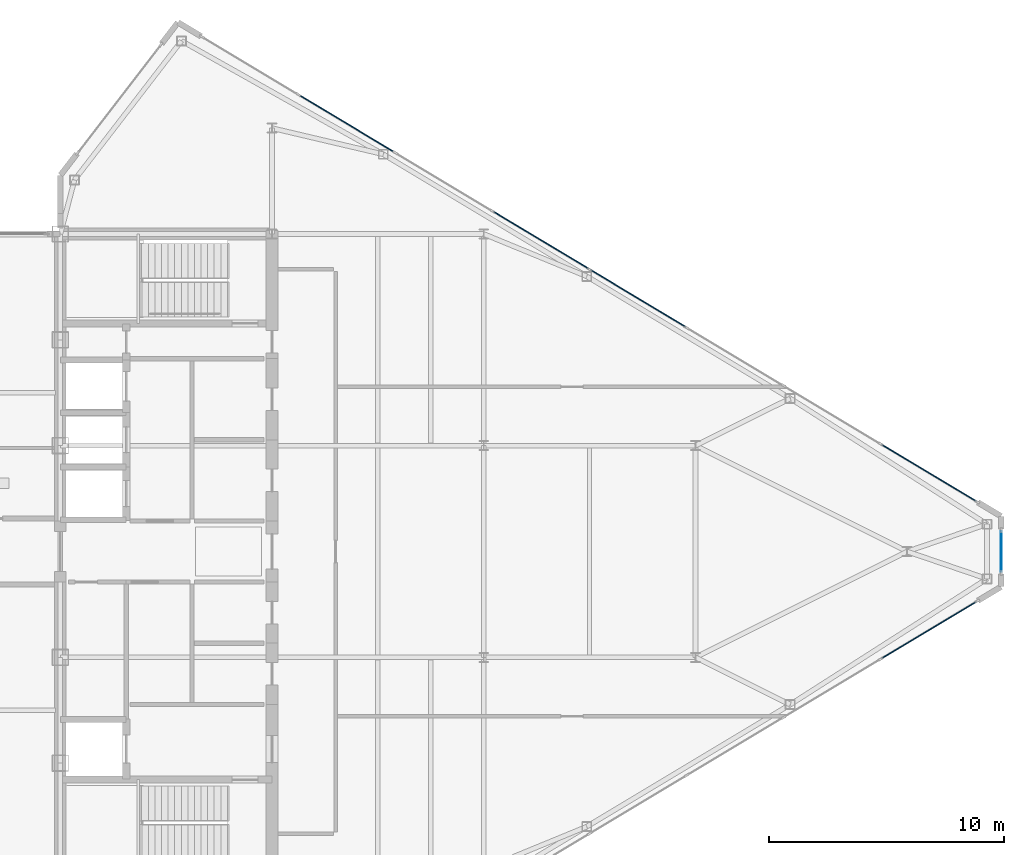
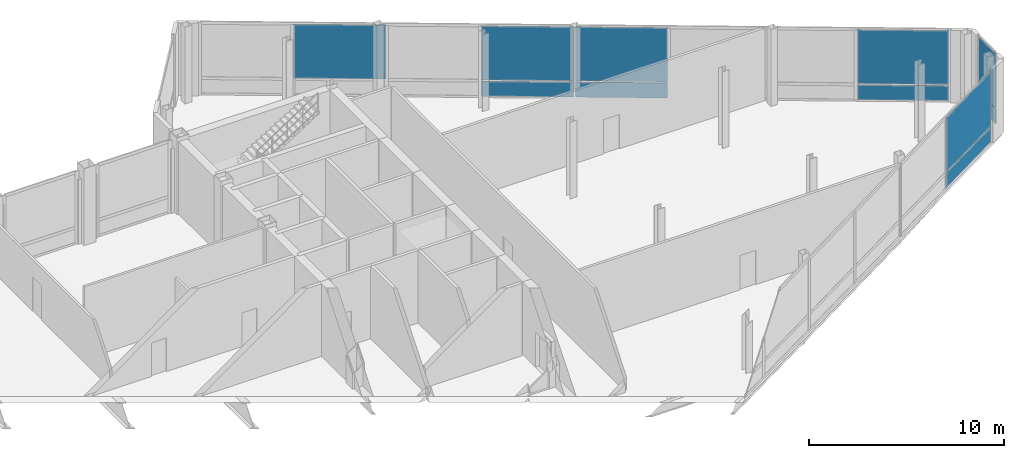
# One storey, part 21 of 29: 11 plates, 3 elements without a shape of their own.
"""IFC4 building model written with IfcOpenShell, lengths in metres."""

import ifcopenshell
import ifcopenshell.guid

model = None  # the IFC model being written
_history = None  # IfcOwnerHistory: only IFC2X3 demands one
_inside = {}  # id of a spatial element -> (the spatial element, [elements in it])
_under = {}  # id of a project, library or spatial element -> (it, [spatial elements below it])
_declared = {}  # id of a project -> (the project, [libraries it declares])
_typed = {}  # id of a type object -> (the type object, [elements of that type])
_made_of = {}  # id of a material, layer set ... -> (it, [elements and type objects made of it])


def new_model(schema):
    """Start an empty IFC model of exactly this schema.

    Asked for "IFC4X3", IfcOpenShell would pick the latest addendum, in which some entities
    have other attributes; the version numbers below select the first issue.
    IFC2X3 requires an IfcOwnerHistory on every rooted entity: one is made here for all.
    """
    global model, _history
    if schema == "IFC4X3":
        model = ifcopenshell.file(schema_version=(4, 3, 0, 0))
    else:
        model = ifcopenshell.file(schema=schema)
    _inside.clear()
    _under.clear()
    _declared.clear()
    _typed.clear()
    _made_of.clear()
    _history = None
    if model.schema == "IFC2X3":
        org = make("IfcOrganization", Name="unknown")
        user = make(
            "IfcPersonAndOrganization",
            ThePerson=make("IfcPerson", FamilyName="unknown"),
            TheOrganization=org,
        )
        app = make(
            "IfcApplication",
            ApplicationDeveloper=org,
            Version="unknown",
            ApplicationFullName="unknown",
            ApplicationIdentifier="unknown",
        )
        _history = make(
            "IfcOwnerHistory",
            OwningUser=user,
            OwningApplication=app,
            ChangeAction="ADDED",
            CreationDate=0,
        )
    return model


def make(cls, **values):
    """One entity of the class cls with the attributes given. An attribute that is None is left unset."""
    return model.create_entity(
        cls, **{name: value for name, value in values.items() if value is not None}
    )


def rooted(cls, **values):
    """An entity with a GlobalId (a new one), such as an element, a storey or a relation."""
    return make(cls, GlobalId=ifcopenshell.guid.new(), OwnerHistory=_history, **values)


def si_unit(unit_type, name, prefix=None):
    """IfcSIUnit, for example si_unit("LENGTHUNIT", "METRE", prefix="MILLI")."""
    return make("IfcSIUnit", UnitType=unit_type, Prefix=prefix, Name=name)


def assignment(units):
    """IfcUnitAssignment: the units of a project."""
    return None if units is None else make("IfcUnitAssignment", Units=units)


def point(xyz):
    """IfcCartesianPoint."""
    return None if xyz is None else make("IfcCartesianPoint", Coordinates=xyz)


def direction(xyz):
    """IfcDirection."""
    return None if xyz is None else make("IfcDirection", DirectionRatios=xyz)


def frame(location, z_axis=None, x_axis=None):
    """IfcAxis2Placement3D, a coordinate frame: its origin and axes. An axis left out is left unset."""
    return make(
        "IfcAxis2Placement3D",
        Location=point(location),
        Axis=direction(z_axis),
        RefDirection=direction(x_axis),
    )


def frame_2d(location, x_axis=None):
    """IfcAxis2Placement2D, a coordinate frame in the plane: its origin and x axis."""
    return make(
        "IfcAxis2Placement2D", Location=point(location), RefDirection=direction(x_axis)
    )


def origin():
    """The frame at (0, 0, 0) with its axes left unset."""
    return frame((0.0, 0.0, 0.0))


def origin_2d():
    """The frame at (0, 0) in the plane with its x axis left unset."""
    return frame_2d((0.0, 0.0))


def place(relative_to, where):
    """IfcLocalPlacement: puts the frame where relative to a parent placement (None: the world)."""
    return make(
        "IfcLocalPlacement", PlacementRelTo=relative_to, RelativePlacement=where
    )


def context(
    kind, dimensions, precision=None, world=None, true_north=None, identifier=None
):
    """IfcGeometricRepresentationContext, for example the 3D "Model" context."""
    return make(
        "IfcGeometricRepresentationContext",
        ContextIdentifier=identifier,
        ContextType=kind,
        CoordinateSpaceDimension=dimensions,
        Precision=precision,
        WorldCoordinateSystem=world,
        TrueNorth=true_north,
    )


def subcontext(parent, identifier, kind, view, scale=None):
    """IfcGeometricRepresentationSubContext, for example "Body" below "Model"."""
    return make(
        "IfcGeometricRepresentationSubContext",
        ContextIdentifier=identifier,
        ContextType=kind,
        ParentContext=parent,
        TargetScale=scale,
        TargetView=view,
    )


def project(units=None, contexts=None):
    """IfcProject with its units and contexts."""
    return rooted(
        "IfcProject",
        Name="project",
        RepresentationContexts=contexts,
        UnitsInContext=assignment(units),
    )


def spatial(cls, under=None, at=None, **own):
    """A site, building, storey or space (cls), placed at a placement, below another one or the project."""
    s = rooted(cls, ObjectPlacement=at, **own)
    if under is not None:
        _under.setdefault(under.id(), (under, []))[1].append(s)
    return s


def profile(cls, at=None, kind="AREA", **sizes):
    """A parametric profile (cls). Its sizes go by their IFC names, for example OverallWidth=200.0."""
    return make(cls, ProfileType=kind, Position=at, **sizes)


def rectangle(**sizes):
    """IfcRectangleProfileDef."""
    return profile("IfcRectangleProfileDef", **sizes)


def extrude(swept, where, along, depth):
    """IfcExtrudedAreaSolid: the profile swept, set in the frame where, extruded along a direction by depth."""
    return make(
        "IfcExtrudedAreaSolid",
        SweptArea=swept,
        Position=where,
        ExtrudedDirection=direction(along),
        Depth=depth,
    )


def shape(context_of_items, identifier, shape_type, items):
    """IfcShapeRepresentation: the items that make up one representation, for example the "Body"."""
    return make(
        "IfcShapeRepresentation",
        ContextOfItems=context_of_items,
        RepresentationIdentifier=identifier,
        RepresentationType=shape_type,
        Items=items,
    )


def source(mapping_origin, context_of_items, identifier, shape_type, items):
    """IfcRepresentationMap: a shape defined once, which mapped items show again and again."""
    return make(
        "IfcRepresentationMap",
        MappingOrigin=mapping_origin,
        MappedRepresentation=shape(context_of_items, identifier, shape_type, items),
    )


def transform(
    local_origin,
    x_axis=None,
    y_axis=None,
    z_axis=None,
    scale=None,
    scale2=None,
    scale3=None,
    uniform=True,
):
    """IfcCartesianTransformationOperator3D, or its non-uniform kind. x_axis, y_axis, z_axis: its Axis1, 2, 3."""
    if uniform:
        return make(
            "IfcCartesianTransformationOperator3D",
            Axis1=direction(x_axis),
            Axis2=direction(y_axis),
            LocalOrigin=point(local_origin),
            Scale=scale,
            Axis3=direction(z_axis),
        )
    return make(
        "IfcCartesianTransformationOperator3DnonUniform",
        Axis1=direction(x_axis),
        Axis2=direction(y_axis),
        LocalOrigin=point(local_origin),
        Scale=scale,
        Axis3=direction(z_axis),
        Scale2=scale2,
        Scale3=scale3,
    )


def mapped(mapping_source, mapping_target):
    """IfcMappedItem: shows the shape of a source again, moved by a transform."""
    return make(
        "IfcMappedItem", MappingSource=mapping_source, MappingTarget=mapping_target
    )


def material(Name=None, Category=None):
    """IfcMaterial."""
    return make("IfcMaterial", Name=Name, Category=Category)


def layer(
    of_material, thickness, ventilated=None, Name=None, Category=None, Priority=None
):
    """IfcMaterialLayer: one layer of a wall or slab, of a material (None: an air gap)."""
    return make(
        "IfcMaterialLayer",
        Material=of_material,
        LayerThickness=thickness,
        IsVentilated=ventilated,
        Name=Name,
        Category=Category,
        Priority=Priority,
    )


def layer_set(layers, Name=None):
    """IfcMaterialLayerSet."""
    return make("IfcMaterialLayerSet", MaterialLayers=layers, LayerSetName=Name)


def made_of(thing, what):
    """Note that an element or type object is made of a material, layer set ...; save() writes the relation."""
    if what is not None:
        _made_of.setdefault(what.id(), (what, []))[1].append(thing)
    return thing


def type_object(cls, material=None, **own):
    """A type object (cls), such as IfcWallType, which elements share."""
    return made_of(rooted(cls, **own), material)


def type_shapes(of_type, sources):
    """Give a type object the sources (RepresentationMaps) that its elements show as mapped items."""
    of_type.RepresentationMaps = sources


def element(
    cls,
    number,
    at=None,
    inside=None,
    cuts=None,
    type_object=None,
    material=None,
    context=None,
    identifier="Body",
    shape_type=None,
    held_by="IfcProductDefinitionShape",
    body=None,
    shapes=None,
    **own,
):
    """One element of the class cls, such as IfcWall. Its Tag is "e" and its number.

    at: its placement. inside: the storey or other place that contains it. cuts: it is an
    opening in that element (IfcRelVoidsElement). A single representation is given by context,
    identifier, shape_type and body (its items); several are given by shapes. held_by: the class
    of the entity that holds the representations. save() writes the other relations.
    """
    e = rooted(cls, Tag="e%d" % number, ObjectPlacement=at, **own)
    if body is not None:
        shapes = [shape(context, identifier, shape_type, body)]
    if shapes is not None:
        e.Representation = make(held_by, Representations=shapes)
    if inside is not None:
        _inside.setdefault(inside.id(), (inside, []))[1].append(e)
    if cuts is not None:
        rooted(
            "IfcRelVoidsElement", RelatingBuildingElement=cuts, RelatedOpeningElement=e
        )
    if type_object is not None:
        _typed.setdefault(type_object.id(), (type_object, []))[1].append(e)
    return made_of(e, material)


def aggregate(whole, parts):
    """IfcRelAggregates: a whole, such as a stair, and the parts it consists of."""
    return rooted("IfcRelAggregates", RelatingObject=whole, RelatedObjects=parts)


def save(model, path):
    """Write the relations noted so far, then the file.

    IfcRelAggregates (storeys below a building ...), IfcRelContainedInSpatialStructure (elements
    in a storey), IfcRelDefinesByType, IfcRelAssociatesMaterial and IfcRelDeclares: one each for
    every whole, place, type object, material and project.
    """
    for whole, parts in _under.values():
        aggregate(whole, parts)
    for where, things in _inside.values():
        rooted(
            "IfcRelContainedInSpatialStructure",
            RelatedElements=things,
            RelatingStructure=where,
        )
    for kind, things in _typed.values():
        rooted("IfcRelDefinesByType", RelatedObjects=things, RelatingType=kind)
    for what, things in _made_of.values():
        rooted("IfcRelAssociatesMaterial", RelatedObjects=things, RelatingMaterial=what)
    for by, libraries in _declared.values():
        rooted("IfcRelDeclares", RelatingContext=by, RelatedDefinitions=libraries)
    model.write(path)


model = new_model("IFC4")

# Units and contexts
model_context = context("Model", 3, precision=1e-05, world=origin(), true_north=direction((0.0, 1.0)))
body_context = subcontext(model_context, "Body", "Model", "MODEL_VIEW")
ifc_project = project(units=[si_unit("LENGTHUNIT", "METRE"), si_unit("AREAUNIT", "SQUARE_METRE"), si_unit("VOLUMEUNIT", "CUBIC_METRE"), si_unit("PLANEANGLEUNIT", "RADIAN"), si_unit("MASSUNIT", "GRAM", prefix="KILO")], contexts=[model_context])

# Site, building, storey
site_placement = place(None, origin())
site = spatial("IfcSite", under=ifc_project, at=site_placement, CompositionType="ELEMENT")
building_placement = place(site_placement, origin())
building = spatial("IfcBuilding", under=site, at=building_placement, Name="Seokmaru Belvedere", CompositionType="ELEMENT")
storey_placement = place(building_placement, frame((0.0, 0.0, 269.39990234375)))
storey = spatial("IfcBuildingStorey", under=building, at=storey_placement, Name="L71", CompositionType="ELEMENT", Elevation=269.39990234375)

# Curtain wall, plate
ifc_material = material(Name="Bronze Triple Insulating Glass", Category="glass")
ifc_layer_1 = layer(ifc_material, 0.219970703125)
ifc_layer_set_1 = layer_set([ifc_layer_1], Name="Bronze Triple Insulating Glass")
curtain_wall_type = type_object("IfcCurtainWallType", Name="Sky-Gate Bridge Panorama Curtain Wall System CW-6", PredefinedType="NOTDEFINED", material=ifc_layer_set_1)
curtain_wall_1_placement = place(storey_placement, origin())
curtain_wall_1 = element("IfcCurtainWall", 1, at=curtain_wall_1_placement, inside=storey, type_object=curtain_wall_type, Name="L71 Curtain Wall EF1", PredefinedType="NOTDEFINED")
ifc_layer_2 = layer(ifc_material, 0.048095703125)
ifc_layer_set_2 = layer_set([ifc_layer_2], Name="Bronze Triple Insulating Glass")
plate_type_1 = type_object("IfcPlateType", Name="Insulated Bronze Spandrel Glazing Panel 48", PredefinedType="CURTAIN_PANEL", material=ifc_layer_set_2)
shared_shape_1 = source(origin(), body_context, "Body", "SweptSolid", [
    extrude(rectangle(XDim=4.694580078125, YDim=0.0419921875, at=origin_2d()), origin(), (0.0, 0.0, 1.0), 0.9375),
])
plate_1_placement = place(storey_placement, frame((64.4326171875, -3.340576171875, 0.0751953125), z_axis=(0.0, 0.0, 1.0), x_axis=(0.85749343335, 0.514494909364, 0.0)))
plate_1 = element("IfcPlate", 2, at=plate_1_placement, type_object=plate_type_1, Name="CW:L71:EF1 Glazing Panel 8-1", PredefinedType="CURTAIN_PANEL", context=body_context, shape_type="MappedRepresentation", body=[
    mapped(shared_shape_1, transform((0.0, 0.0, 0.0), scale=1.0)),
])

curtain_wall_2_placement = place(storey_placement, origin())
curtain_wall_2 = element("IfcCurtainWall", 3, at=curtain_wall_2_placement, inside=storey, type_object=curtain_wall_type, Name="L71 Curtain Wall EF3", PredefinedType="NOTDEFINED")
plate_2_placement = place(storey_placement, frame((64.4326171875, 3.340576171875, 0.0751953125), z_axis=(0.0, 0.0, 1.0), x_axis=(-0.85749343335, 0.514494909364, 0.0)))
plate_2 = element("IfcPlate", 4, at=plate_2_placement, type_object=plate_type_1, Name="CW:L71:EF3 Glazing Panel 1-1", PredefinedType="CURTAIN_PANEL", context=body_context, shape_type="MappedRepresentation", body=[
    mapped(shared_shape_1, transform((0.0, 0.0, 0.0), scale=1.0)),
])

# Plate
ifc_layer_3 = layer(ifc_material, 0.0419921875)
ifc_layer_set_3 = layer_set([ifc_layer_3], Name="Bronze Triple Insulating Glass")
plate_type_2 = type_object("IfcPlateType", Name="Acoustic Laminated Panorama Glazing Panel 42", PredefinedType="CURTAIN_PANEL", material=ifc_layer_set_3)
shared_shape_2 = source(origin(), body_context, "Body", "SweptSolid", [
    extrude(rectangle(XDim=4.694580078125, YDim=0.0419921875, at=origin_2d()), origin(), (0.0, 0.0, 1.0), 3.37744140625),
])
plate_3_placement = place(storey_placement, frame((64.4326171875, -3.340576171875, 1.087646484375), z_axis=(0.0, 0.0, 1.0), x_axis=(0.85749343335, 0.514494909364, 0.0)))
plate_3 = element("IfcPlate", 5, at=plate_3_placement, type_object=plate_type_2, Name="CW:L71:EF1 Glazing Panel 8-2", PredefinedType="CURTAIN_PANEL", context=body_context, shape_type="MappedRepresentation", body=[
    mapped(shared_shape_2, transform((0.0, 0.0, 0.0), scale=1.0)),
])

aggregate(curtain_wall_1, [plate_1, plate_3])

plate_4_placement = place(storey_placement, frame((64.4326171875, 3.340576171875, 1.087646484375), z_axis=(0.0, 0.0, 1.0), x_axis=(-0.85749343335, 0.514494909364, 0.0)))
plate_4 = element("IfcPlate", 6, at=plate_4_placement, type_object=plate_type_2, Name="CW:L71:EF3 Glazing Panel 1-2", PredefinedType="CURTAIN_PANEL", context=body_context, shape_type="MappedRepresentation", body=[
    mapped(shared_shape_2, transform((0.0, 0.0, 0.0), scale=1.0)),
])

shared_shape_3 = source(origin(), body_context, "Body", "SweptSolid", [
    extrude(rectangle(XDim=4.734619140625, YDim=0.0419921875, at=origin_2d()), origin(), (0.0, 0.0, 1.0), 0.9375),
])
plate_5_placement = place(storey_placement, frame((52.064208984375, 10.761474609375, 0.0751953125), z_axis=(0.0, 0.0, 1.0), x_axis=(-0.85749343335, 0.514494909364, 0.0)))
plate_5 = element("IfcPlate", 7, at=plate_5_placement, type_object=plate_type_1, Name="CW:L71:EF3 Glazing Panel 4-1", PredefinedType="CURTAIN_PANEL", context=body_context, shape_type="MappedRepresentation", body=[
    mapped(shared_shape_3, transform((0.0, 0.0, 0.0), scale=1.0)),
])

plate_6_placement = place(storey_placement, frame((47.935791015625, 13.238525390625, 0.0751953125), z_axis=(0.0, 0.0, 1.0), x_axis=(-0.85749343335, 0.514494909364, 0.0)))
plate_6 = element("IfcPlate", 8, at=plate_6_placement, type_object=plate_type_1, Name="CW:L71:EF3 Glazing Panel 5-1", PredefinedType="CURTAIN_PANEL", context=body_context, shape_type="MappedRepresentation", body=[
    mapped(shared_shape_3, transform((0.0, 0.0, 0.0), scale=1.0)),
])

shared_shape_4 = source(origin(), body_context, "Body", "SweptSolid", [
    extrude(rectangle(XDim=4.734619140625, YDim=0.0419921875, at=origin_2d()), origin(), (0.0, 0.0, 1.0), 3.37744140625),
])
plate_7_placement = place(storey_placement, frame((52.064208984375, 10.761474609375, 1.087646484375), z_axis=(0.0, 0.0, 1.0), x_axis=(-0.85749343335, 0.514494909364, 0.0)))
plate_7 = element("IfcPlate", 9, at=plate_7_placement, type_object=plate_type_2, Name="CW:L71:EF3 Glazing Panel 4-2", PredefinedType="CURTAIN_PANEL", context=body_context, shape_type="MappedRepresentation", body=[
    mapped(shared_shape_4, transform((0.0, 0.0, 0.0), scale=1.0)),
])

plate_8_placement = place(storey_placement, frame((47.935791015625, 13.238525390625, 1.087646484375), z_axis=(0.0, 0.0, 1.0), x_axis=(-0.85749343335, 0.514494909364, 0.0)))
plate_8 = element("IfcPlate", 10, at=plate_8_placement, type_object=plate_type_2, Name="CW:L71:EF3 Glazing Panel 5-2", PredefinedType="CURTAIN_PANEL", context=body_context, shape_type="MappedRepresentation", body=[
    mapped(shared_shape_4, transform((0.0, 0.0, 0.0), scale=1.0)),
])

plate_9_placement = place(storey_placement, frame((39.6787109375, 18.192626953125, 1.087646484375), z_axis=(0.0, 0.0, 1.0), x_axis=(-0.85749343335, 0.514494909364, 0.0)))
plate_9 = element("IfcPlate", 11, at=plate_9_placement, type_object=plate_type_2, Name="CW:L71:EF3 Glazing Panel 7-2", PredefinedType="CURTAIN_PANEL", context=body_context, shape_type="MappedRepresentation", body=[
    mapped(shared_shape_4, transform((0.0, 0.0, 0.0), scale=1.0)),
])

aggregate(curtain_wall_2, [plate_2, plate_4, plate_5, plate_7, plate_6, plate_8, plate_9])

# Curtain wall, plates
curtain_wall_3_placement = place(storey_placement, origin())
curtain_wall_3 = element("IfcCurtainWall", 12, at=curtain_wall_3_placement, inside=storey, type_object=curtain_wall_type, Name="L71 Curtain Wall EF2", PredefinedType="NOTDEFINED")
shared_shape_5 = source(origin(), body_context, "Body", "SweptSolid", [
    extrude(rectangle(XDim=1.739990234375, YDim=0.0419921875, at=origin_2d()), origin(), (0.0, 0.0, 1.0), 0.9375),
])
type_shapes(plate_type_1, [shared_shape_1, shared_shape_3, shared_shape_5])
plate_10_placement = place(storey_placement, frame((67.5, 0.0, 0.0751953125), z_axis=(0.0, 0.0, 1.0), x_axis=(0.0, 1.0, 0.0)))
plate_10 = element("IfcPlate", 13, at=plate_10_placement, type_object=plate_type_1, Name="CW:L71:EF2 Glazing Panel 1-1", PredefinedType="CURTAIN_PANEL", context=body_context, shape_type="MappedRepresentation", body=[
    mapped(shared_shape_5, transform((0.0, 0.0, 0.0), scale=1.0)),
])
shared_shape_6 = source(origin(), body_context, "Body", "SweptSolid", [
    extrude(rectangle(XDim=1.739990234375, YDim=0.0419921875, at=origin_2d()), origin(), (0.0, 0.0, 1.0), 3.37744140625),
])
type_shapes(plate_type_2, [shared_shape_2, shared_shape_4, shared_shape_6])
plate_11_placement = place(storey_placement, frame((67.5, 0.0, 1.087646484375), z_axis=(0.0, 0.0, 1.0), x_axis=(0.0, 1.0, 0.0)))
plate_11 = element("IfcPlate", 14, at=plate_11_placement, type_object=plate_type_2, Name="CW:L71:EF2 Glazing Panel 1-2", PredefinedType="CURTAIN_PANEL", context=body_context, shape_type="MappedRepresentation", body=[
    mapped(shared_shape_6, transform((0.0, 0.0, 0.0), scale=1.0)),
])
aggregate(curtain_wall_3, [plate_10, plate_11])

save(model, "model.ifc")
